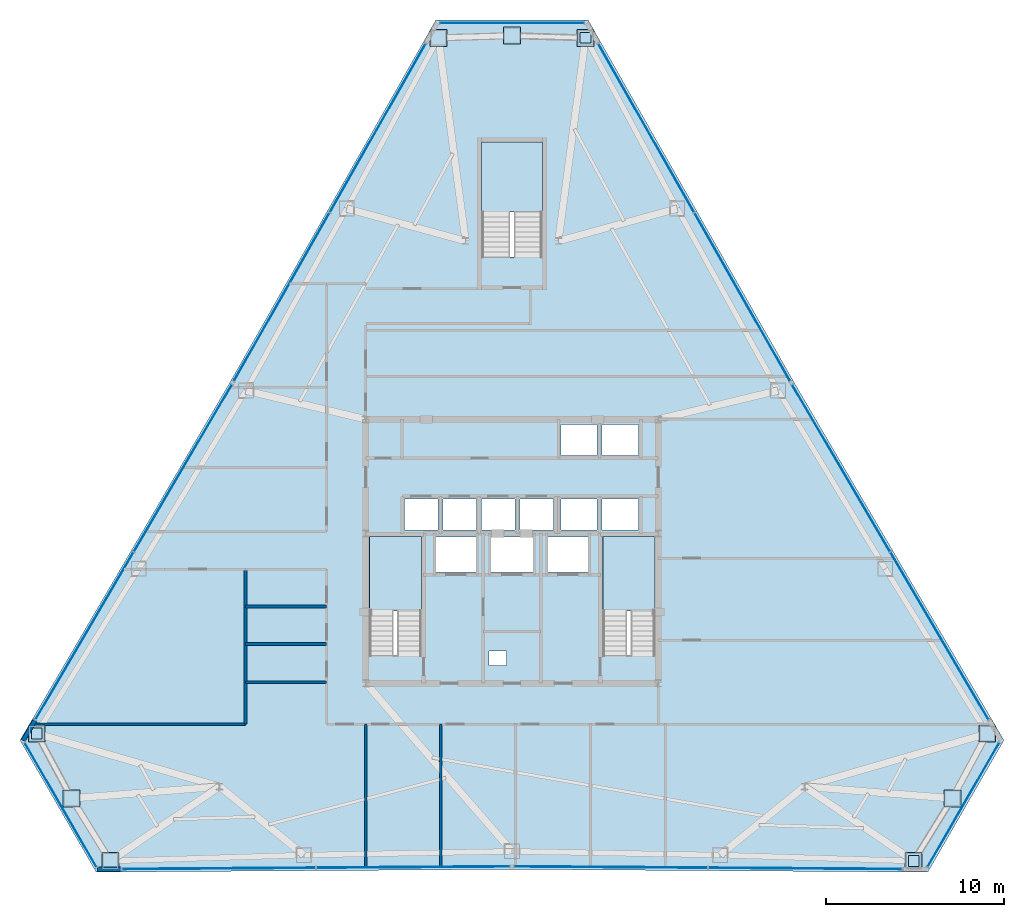
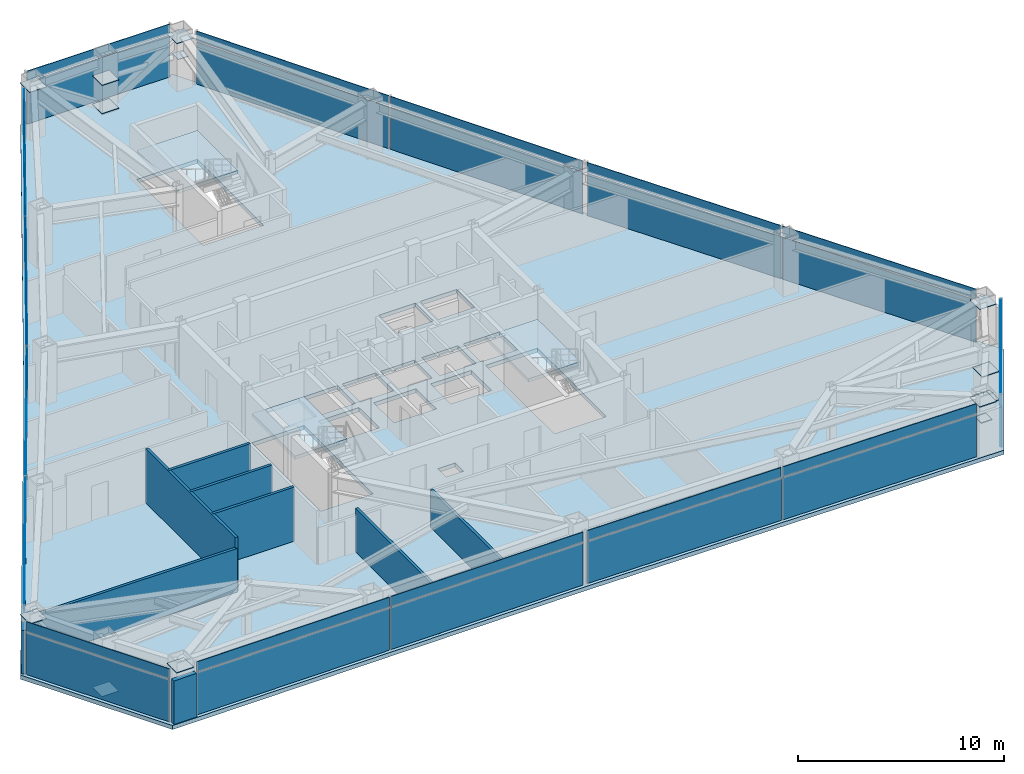
# One storey, part 9 of 13: 45 plates, 9 walls, 4 slabs, 12 elements without a shape of their own.
"""IFC4 building model written with IfcOpenShell, lengths in metres."""

from ifc_helpers import new_model, si_unit, direction, frame, frame_2d, origin, origin_2d, place, context, subcontext, project, spatial, polyline, rectangle, outline, extrude, source, transform, mapped, material, layer, layer_set, type_object, type_shapes, element, aggregate, save


model = new_model("IFC4")

# Units and contexts
model_context = context("Model", 3, precision=1e-05, world=origin(), true_north=direction((0.0, 1.0)))
body_context = subcontext(model_context, "Body", "Model", "MODEL_VIEW")
ifc_project = project(units=[si_unit("LENGTHUNIT", "METRE"), si_unit("AREAUNIT", "SQUARE_METRE"), si_unit("VOLUMEUNIT", "CUBIC_METRE"), si_unit("PLANEANGLEUNIT", "RADIAN"), si_unit("MASSUNIT", "GRAM", prefix="KILO")], contexts=[model_context])

# Site, building, storey
site_placement = place(None, origin())
site = spatial("IfcSite", under=ifc_project, at=site_placement, CompositionType="ELEMENT")
building_placement = place(site_placement, origin())
building = spatial("IfcBuilding", under=site, at=building_placement, Name="Varakhsha Concourse Tower", CompositionType="ELEMENT")
storey_placement = place(building_placement, frame((0.0, 0.0, 136.699951171875)))
storey = spatial("IfcBuildingStorey", under=building, at=storey_placement, Name="L39", CompositionType="ELEMENT", Elevation=136.699951171875)

# Slab
ifc_material_1 = material(Name="Concrete fc 45 MPa", Category="concrete")
ifc_layer_1 = layer(ifc_material_1, 0.239990234375, Name="SL-FLR-240")
ifc_layer_set_1 = layer_set([ifc_layer_1], Name="Concrete fc 45 MPa")
slab_type_1 = type_object("IfcSlabType", Name="SL-FLR-240", PredefinedType="FLOOR", material=ifc_layer_set_1)
slab_1_placement = place(storey_placement, frame((0.0, 0.0, -0.239990234375)))
element("IfcSlab", 1, at=slab_1_placement, inside=storey, type_object=slab_type_1, Name="L39 Composite Structural Slab", PredefinedType="FLOOR", context=body_context, shape_type="SweptSolid", body=[
    extrude(outline(polyline([(44.271484375, 53.6015625), (35.728515625, 53.6015625), (24.2021484375, 33.32080078125), (12.401611328125, 13.198486328125), (16.673095703125, 5.800048828125), (40.0, 5.958251953125), (63.326904296875, 5.800048828125), (67.598388671875, 13.198486328125), (55.7978515625, 33.32080078125), (44.271484375, 53.6015625)]), holes=[polyline([(34.919921875, 17.93994140625), (34.919921875, 24.6298828125), (32.0, 24.6298828125), (32.0, 17.93994140625), (34.919921875, 17.93994140625)]), polyline([(48.02001953125, 17.93994140625), (48.02001953125, 24.6298828125), (45.10009765625, 24.6298828125), (45.10009765625, 17.93994140625), (48.02001953125, 17.93994140625)]), polyline([(41.699951171875, 40.300048828125), (41.699951171875, 46.75), (38.300048828125, 46.75), (38.300048828125, 40.300048828125), (41.699951171875, 40.300048828125)]), polyline([(33.9599609375, 25.0), (35.840087890625, 25.0), (35.840087890625, 26.739990234375), (33.9599609375, 26.739990234375), (33.9599609375, 25.0)]), polyline([(36.1201171875, 25.0), (38.0, 25.0), (38.0, 26.739990234375), (36.1201171875, 26.739990234375), (36.1201171875, 25.0)]), polyline([(38.280029296875, 25.0), (40.159912109375, 25.0), (40.159912109375, 26.739990234375), (38.280029296875, 26.739990234375), (38.280029296875, 25.0)]), polyline([(40.43994140625, 25.0), (42.320068359375, 25.0), (42.320068359375, 26.739990234375), (40.43994140625, 26.739990234375), (40.43994140625, 25.0)]), polyline([(42.739990234375, 29.159912109375), (44.780029296875, 29.159912109375), (44.780029296875, 30.89990234375), (42.739990234375, 30.89990234375), (42.739990234375, 29.159912109375)]), polyline([(45.06005859375, 29.159912109375), (47.10009765625, 29.159912109375), (47.10009765625, 30.89990234375), (45.06005859375, 30.89990234375), (45.06005859375, 29.159912109375)]), polyline([(42.739990234375, 25.0), (44.780029296875, 25.0), (44.780029296875, 26.739990234375), (42.739990234375, 26.739990234375), (42.739990234375, 25.0)]), polyline([(45.06005859375, 25.0), (47.10009765625, 25.0), (47.10009765625, 26.739990234375), (45.06005859375, 26.739990234375), (45.06005859375, 25.0)]), polyline([(35.7099609375, 22.639892578125), (37.989990234375, 22.639892578125), (37.989990234375, 24.60009765625), (35.7099609375, 24.60009765625), (35.7099609375, 22.639892578125)]), polyline([(42.010009765625, 22.639892578125), (44.2900390625, 22.639892578125), (44.2900390625, 24.60009765625), (42.010009765625, 24.60009765625), (42.010009765625, 22.639892578125)]), polyline([(38.81005859375, 22.639892578125), (41.18994140625, 22.639892578125), (41.18994140625, 24.60009765625), (38.81005859375, 24.60009765625), (38.81005859375, 22.639892578125)]), polyline([(38.719970703125, 17.39990234375), (39.679931640625, 17.39990234375), (39.679931640625, 18.199951171875), (38.719970703125, 18.199951171875), (38.719970703125, 17.39990234375)])]), origin(), (0.0, 0.0, 1.0), 0.239990234375),
])

# Stair, slab
stair_type_1 = type_object("IfcStairType", Name="ST-DOGLEG-1360", PredefinedType="HALF_TURN_STAIR", material=ifc_material_1)
stair_1_placement = place(storey_placement, origin())
stair_1 = element("IfcStair", 2, at=stair_1_placement, inside=storey, type_object=stair_type_1, Name="L39 Protected Exit Stair ST1", PredefinedType="HALF_TURN_STAIR")
ifc_layer_2 = layer(ifc_material_1, 0.199951171875, Name="SL-LAND-200")
ifc_layer_set_2 = layer_set([ifc_layer_2], Name="Concrete fc 45 MPa")
slab_type_2 = type_object("IfcSlabType", Name="SL-LAND-200", PredefinedType="LANDING", material=ifc_layer_set_2)
slab_2_placement = place(storey_placement, frame((0.0, 0.0, 1.525146484375)))
slab_2 = element("IfcSlab", 3, at=slab_2_placement, type_object=slab_type_2, Name="ST1 landing 1", PredefinedType="LANDING", context=body_context, shape_type="SweptSolid", body=[
    extrude(outline(polyline([(34.919921875, 20.4599609375), (34.919921875, 24.6298828125), (32.0, 24.6298828125), (32.0, 20.4599609375), (34.919921875, 20.4599609375)])), origin(), (0.0, 0.0, 1.0), 0.199951171875),
])
aggregate(stair_1, [slab_2])

stair_2_placement = place(storey_placement, origin())
stair_2 = element("IfcStair", 4, at=stair_2_placement, inside=storey, type_object=stair_type_1, Name="L39 Protected Exit Stair ST2", PredefinedType="HALF_TURN_STAIR")
slab_3_placement = place(storey_placement, frame((0.0, 0.0, 1.525146484375)))
slab_3 = element("IfcSlab", 5, at=slab_3_placement, type_object=slab_type_2, Name="ST2 landing 1", PredefinedType="LANDING", context=body_context, shape_type="SweptSolid", body=[
    extrude(outline(polyline([(48.02001953125, 20.4599609375), (48.02001953125, 24.6298828125), (45.10009765625, 24.6298828125), (45.10009765625, 20.4599609375), (48.02001953125, 20.4599609375)])), origin(), (0.0, 0.0, 1.0), 0.199951171875),
])
aggregate(stair_2, [slab_3])

stair_type_2 = type_object("IfcStairType", Name="ST-DOGLEG-1600", PredefinedType="HALF_TURN_STAIR", material=ifc_material_1)
stair_3_placement = place(storey_placement, origin())
stair_3 = element("IfcStair", 6, at=stair_3_placement, inside=storey, type_object=stair_type_2, Name="L39 Protected Exit Stair ST5", PredefinedType="HALF_TURN_STAIR")
slab_4_placement = place(storey_placement, frame((0.0, 0.0, 1.525146484375)))
slab_4 = element("IfcSlab", 7, at=slab_4_placement, type_object=slab_type_2, Name="ST5 landing 1", PredefinedType="LANDING", context=body_context, shape_type="SweptSolid", body=[
    extrude(outline(polyline([(41.699951171875, 42.820068359375), (41.699951171875, 46.75), (38.300048828125, 46.75), (38.300048828125, 42.820068359375), (41.699951171875, 42.820068359375)])), origin(), (0.0, 0.0, 1.0), 0.199951171875),
])
aggregate(stair_3, [slab_4])

# Plates
ifc_material_2 = material(Name="Structural Steel ASTM A572 Grade 50", Category="steel")
ifc_layer_3 = layer(ifc_material_2, 0.030029296875, Name="PL-ENDCAP-950")
ifc_layer_set_3 = layer_set([ifc_layer_3], Name="Structural Steel ASTM A572 Grade 50")
plate_type_1 = type_object("IfcPlateType", Name="PL-ENDCAP-950", PredefinedType="USERDEFINED", material=ifc_layer_set_3)
shared_shape_1 = source(origin(), body_context, "Body", "SweptSolid", [
    extrude(rectangle(XDim=0.949951171875, YDim=0.949951171875, at=origin_2d()), origin(), (0.0, 0.0, 1.0), 0.030029296875),
])
type_shapes(plate_type_1, [shared_shape_1])
for number, where, z_axis, x_axis, name in (
    (8, (40.0, 52.7216796875, 0.10498046875), (0.0, 0.0, 1.0), (1.0, 0.0, 0.0), "Hollow Section End Cap GP-NODE-L39-0373"),
    (9, (44.1259765625, 52.60009765625, 2.89501953125), (0.0, 0.0, 1.0), (1.0, 0.0, 0.0), "Hollow Section End Cap GP-NODE-L39-0374"),
    (10, (35.8740234375, 52.60009765625, 2.89501953125), (0.0, 0.0, 1.0), (1.0, 0.0, 0.0), "Hollow Section End Cap GP-NODE-L39-0375"),
    (11, (15.299560546875, 9.939208984375, 0.10498046875), (0.0, 0.0, 1.0), (1.0, 0.0, 0.0), "Hollow Section End Cap GP-NODE-L39-0376"),
    (12, (13.341796875, 13.572998046875, 2.89501953125), (0.0, 0.0, 1.0), (1.0, 0.0, 0.0), "Hollow Section End Cap GP-NODE-L39-0377"),
    (13, (17.4677734375, 6.4267578125, 2.89501953125), (0.0, 0.0, 1.0), (1.0, 0.0, 0.0), "Hollow Section End Cap GP-NODE-L39-0378"),
    (14, (64.700439453125, 9.939208984375, 0.10498046875), (0.0, 0.0, 1.0), (1.0, 0.0, 0.0), "Hollow Section End Cap GP-NODE-L39-0379"),
    (15, (62.5322265625, 6.4267578125, 2.89501953125), (0.0, 0.0, 1.0), (1.0, 0.0, 0.0), "Hollow Section End Cap GP-NODE-L39-0380"),
    (16, (66.658203125, 13.572998046875, 2.89501953125), (0.0, 0.0, 1.0), (1.0, 0.0, 0.0), "Hollow Section End Cap GP-NODE-L39-0381"),
    (17, (40.0, 52.7216796875, 1.78515625), (0.0, 0.0, 1.0), (1.0, 0.0, 0.0), "Hollow Section End Cap GP-NODE-L39-0382"),
    (18, (15.299560546875, 9.939208984375, 1.78515625), (0.0, 0.0, 1.0), (1.0, 0.0, 0.0), "Hollow Section End Cap GP-NODE-L39-0383"),
    (19, (64.700439453125, 9.939208984375, 1.78515625), (0.0, 0.0, 1.0), (1.0, 0.0, 0.0), "Hollow Section End Cap GP-NODE-L39-0384"),
):
    element("IfcPlate", number, at=place(storey_placement, frame(where, z_axis=z_axis, x_axis=x_axis)), inside=storey, type_object=plate_type_1, Name=name, ObjectType="END PLATE", PredefinedType="USERDEFINED", context=body_context, shape_type="MappedRepresentation", body=[
        mapped(shared_shape_1, transform((0.0, 0.0, 0.0), scale=1.0)),
    ])
ifc_layer_4 = layer(ifc_material_2, 0.030029296875, Name="PL-BASE-600")
ifc_layer_set_4 = layer_set([ifc_layer_4], Name="Structural Steel ASTM A572 Grade 50")
plate_type_2 = type_object("IfcPlateType", Name="PL-BASE-600", PredefinedType="SHEET", material=ifc_layer_set_4)
shared_shape_2 = source(origin(), body_context, "Body", "SweptSolid", [
    extrude(rectangle(XDim=0.60009765625, YDim=0.60009765625, at=origin_2d()), origin(), (0.0, 0.0, 1.0), 0.030029296875),
])
type_shapes(plate_type_2, [shared_shape_2])
for number, where, z_axis, x_axis, name in (
    (20, (44.1259765625, 52.60009765625, 1.78515625), (0.0, 0.0, 1.0), (1.0, 0.0, 0.0), "Hollow Section End Cap BP-WTIE-L39-1"),
    (21, (13.341796875, 13.572998046875, 1.78515625), (0.0, 0.0, 1.0), (1.0, 0.0, 0.0), "Hollow Section End Cap BP-WTIE-L39-2"),
    (22, (62.5322265625, 6.4267578125, 1.78515625), (0.0, 0.0, 1.0), (1.0, 0.0, 0.0), "Hollow Section End Cap BP-WTIE-L39-3"),
):
    element("IfcPlate", number, at=place(storey_placement, frame(where, z_axis=z_axis, x_axis=x_axis)), inside=storey, type_object=plate_type_2, Name=name, PredefinedType="SHEET", context=body_context, shape_type="MappedRepresentation", body=[
        mapped(shared_shape_2, transform((0.0, 0.0, 0.0), scale=1.0)),
    ])

# Curtain wall, plates
ifc_material_3 = material(Name="Anodised Bronze Architectural Aluminium AA 6063-T6", Category="aluminium")
ifc_layer_5 = layer(ifc_material_3, 0.2099609375, Name="CW-SYS-04")
ifc_layer_set_5 = layer_set([ifc_layer_5], Name="Anodised Bronze Architectural Aluminium AA 6063-T6")
curtain_wall_type = type_object("IfcCurtainWallType", Name="CW-SYS-04", PredefinedType="NOTDEFINED", material=ifc_layer_set_5)
curtain_wall_1_placement = place(storey_placement, origin())
curtain_wall_1 = element("IfcCurtainWall", 23, at=curtain_wall_1_placement, inside=storey, type_object=curtain_wall_type, Name="L39 Crystal Curtain Wall F2", PredefinedType="NOTDEFINED")
ifc_material_4 = material(Name="Low-E Triple Insulating Glass IGU 44 mm", Category="glass")
ifc_layer_6 = layer(ifc_material_4, 0.0439453125, Name="CWP-IGU-44")
ifc_layer_set_6 = layer_set([ifc_layer_6], Name="Low-E Triple Insulating Glass IGU 44 mm")
plate_type_3 = type_object("IfcPlateType", Name="CWP-IGU-44", PredefinedType="CURTAIN_PANEL", material=ifc_layer_set_6)
shared_shape_3 = source(origin(), body_context, "Body", "SweptSolid", [
    extrude(rectangle(XDim=10.834716796875, YDim=0.0439453125, at=origin_2d()), origin(), (0.0, 0.0, 1.0), 2.490966796875),
])
type_shapes(plate_type_3, [shared_shape_3])
plate_1_placement = place(storey_placement, frame((27.0771484375, 38.0556640625, 0.03466796875), z_axis=(0.0, 0.0, 1.0), x_axis=(0.494114858069, 0.8693966339, 0.0)))
plate_1 = element("IfcPlate", 24, at=plate_1_placement, type_object=plate_type_3, Name="CW-L39-F2 Panel 00-00", PredefinedType="CURTAIN_PANEL", context=body_context, shape_type="MappedRepresentation", body=[
    mapped(shared_shape_3, transform((0.0, 0.0, 0.0), scale=1.0)),
])
plate_2_placement = place(storey_placement, frame((32.4697265625, 47.5439453125, 0.03466796875), z_axis=(0.0, 0.0, 1.0), x_axis=(0.494114858069, 0.8693966339, 0.0)))
plate_2 = element("IfcPlate", 25, at=plate_2_placement, type_object=plate_type_3, Name="CW-L39-F2 Panel 01-00", PredefinedType="CURTAIN_PANEL", context=body_context, shape_type="MappedRepresentation", body=[
    mapped(shared_shape_3, transform((0.0, 0.0, 0.0), scale=1.0)),
])

curtain_wall_2_placement = place(storey_placement, origin())
curtain_wall_2 = element("IfcCurtainWall", 26, at=curtain_wall_2_placement, inside=storey, type_object=curtain_wall_type, Name="L39 Crystal Curtain Wall F3", PredefinedType="NOTDEFINED")
plate_3_placement = place(storey_placement, frame((16.018310546875, 19.049560546875, 0.03466796875), z_axis=(0.0, 0.0, 1.0), x_axis=(0.505862141887, 0.862614336424, 0.0)))
plate_3 = element("IfcPlate", 27, at=plate_3_placement, type_object=plate_type_3, Name="CW-L39-F3 Panel 00-00", PredefinedType="CURTAIN_PANEL", context=body_context, shape_type="MappedRepresentation", body=[
    mapped(shared_shape_3, transform((0.0, 0.0, 0.0), scale=1.0)),
])
plate_4_placement = place(storey_placement, frame((21.539306640625, 28.4638671875, 0.03466796875), z_axis=(0.0, 0.0, 1.0), x_axis=(0.505862141887, 0.862614336424, 0.0)))
plate_4 = element("IfcPlate", 28, at=plate_4_placement, type_object=plate_type_3, Name="CW-L39-F3 Panel 01-00", PredefinedType="CURTAIN_PANEL", context=body_context, shape_type="MappedRepresentation", body=[
    mapped(shared_shape_3, transform((0.0, 0.0, 0.0), scale=1.0)),
])

curtain_wall_3_placement = place(storey_placement, origin())
curtain_wall_3 = element("IfcCurtainWall", 29, at=curtain_wall_3_placement, inside=storey, type_object=curtain_wall_type, Name="L39 Crystal Curtain Wall F5", PredefinedType="NOTDEFINED")
plate_5_placement = place(storey_placement, frame((34.462158203125, 6.080810546875, 0.03466796875), z_axis=(0.0, 0.0, 1.0), x_axis=(-0.999976976275, -0.006785788053, 0.0)))
plate_5 = element("IfcPlate", 30, at=plate_5_placement, type_object=plate_type_3, Name="CW-L39-F5 Panel 00-00", PredefinedType="CURTAIN_PANEL", context=body_context, shape_type="MappedRepresentation", body=[
    mapped(shared_shape_3, transform((0.0, 0.0, 0.0), scale=1.0)),
])
plate_6_placement = place(storey_placement, frame((23.548828125, 6.006591796875, 0.03466796875), z_axis=(0.0, 0.0, 1.0), x_axis=(-0.999976976275, -0.006785788053, 0.0)))
plate_6 = element("IfcPlate", 31, at=plate_6_placement, type_object=plate_type_3, Name="CW-L39-F5 Panel 01-00", PredefinedType="CURTAIN_PANEL", context=body_context, shape_type="MappedRepresentation", body=[
    mapped(shared_shape_3, transform((0.0, 0.0, 0.0), scale=1.0)),
])

curtain_wall_4_placement = place(storey_placement, origin())
curtain_wall_4 = element("IfcCurtainWall", 32, at=curtain_wall_4_placement, inside=storey, type_object=curtain_wall_type, Name="L39 Crystal Curtain Wall F6", PredefinedType="NOTDEFINED")
plate_7_placement = place(storey_placement, frame((56.451171875, 6.006591796875, 0.03466796875), z_axis=(0.0, 0.0, 1.0), x_axis=(-0.999976976275, 0.006785788053, 0.0)))
plate_7 = element("IfcPlate", 33, at=plate_7_placement, type_object=plate_type_3, Name="CW-L39-F6 Panel 00-00", PredefinedType="CURTAIN_PANEL", context=body_context, shape_type="MappedRepresentation", body=[
    mapped(shared_shape_3, transform((0.0, 0.0, 0.0), scale=1.0)),
])
plate_8_placement = place(storey_placement, frame((45.537841796875, 6.080810546875, 0.03466796875), z_axis=(0.0, 0.0, 1.0), x_axis=(-0.999976976275, 0.006785788053, 0.0)))
plate_8 = element("IfcPlate", 34, at=plate_8_placement, type_object=plate_type_3, Name="CW-L39-F6 Panel 01-00", PredefinedType="CURTAIN_PANEL", context=body_context, shape_type="MappedRepresentation", body=[
    mapped(shared_shape_3, transform((0.0, 0.0, 0.0), scale=1.0)),
])

curtain_wall_5_placement = place(storey_placement, origin())
curtain_wall_5 = element("IfcCurtainWall", 35, at=curtain_wall_5_placement, inside=storey, type_object=curtain_wall_type, Name="L39 Crystal Curtain Wall F8", PredefinedType="NOTDEFINED")
plate_9_placement = place(storey_placement, frame((58.460693359375, 28.4638671875, 0.03466796875), z_axis=(0.0, 0.0, 1.0), x_axis=(0.505862141887, -0.862614336424, 0.0)))
plate_9 = element("IfcPlate", 36, at=plate_9_placement, type_object=plate_type_3, Name="CW-L39-F8 Panel 00-00", PredefinedType="CURTAIN_PANEL", context=body_context, shape_type="MappedRepresentation", body=[
    mapped(shared_shape_3, transform((0.0, 0.0, 0.0), scale=1.0)),
])
plate_10_placement = place(storey_placement, frame((63.981689453125, 19.049560546875, 0.03466796875), z_axis=(0.0, 0.0, 1.0), x_axis=(0.505862141887, -0.862614336424, 0.0)))
plate_10 = element("IfcPlate", 37, at=plate_10_placement, type_object=plate_type_3, Name="CW-L39-F8 Panel 01-00", PredefinedType="CURTAIN_PANEL", context=body_context, shape_type="MappedRepresentation", body=[
    mapped(shared_shape_3, transform((0.0, 0.0, 0.0), scale=1.0)),
])

curtain_wall_6_placement = place(storey_placement, origin())
curtain_wall_6 = element("IfcCurtainWall", 38, at=curtain_wall_6_placement, inside=storey, type_object=curtain_wall_type, Name="L39 Crystal Curtain Wall F9", PredefinedType="NOTDEFINED")
plate_11_placement = place(storey_placement, frame((47.5302734375, 47.543701171875, 0.03466796875), z_axis=(0.0, 0.0, 1.0), x_axis=(0.494114858069, -0.8693966339, 0.0)))
plate_11 = element("IfcPlate", 39, at=plate_11_placement, type_object=plate_type_3, Name="CW-L39-F9 Panel 00-00", PredefinedType="CURTAIN_PANEL", context=body_context, shape_type="MappedRepresentation", body=[
    mapped(shared_shape_3, transform((0.0, 0.0, 0.0), scale=1.0)),
])
plate_12_placement = place(storey_placement, frame((52.9228515625, 38.055419921875, 0.03466796875), z_axis=(0.0, 0.0, 1.0), x_axis=(0.494114858069, -0.8693966339, 0.0)))
plate_12 = element("IfcPlate", 40, at=plate_12_placement, type_object=plate_type_3, Name="CW-L39-F9 Panel 01-00", PredefinedType="CURTAIN_PANEL", context=body_context, shape_type="MappedRepresentation", body=[
    mapped(shared_shape_3, transform((0.0, 0.0, 0.0), scale=1.0)),
])

# Plate
ifc_material_5 = material(Name="Glazed Turquoise-Bronze Ceramic Spandrel Panel 38 mm", Category="ceramic")
ifc_layer_7 = layer(ifc_material_5, 0.0380859375, Name="CWP-SPN-38")
ifc_layer_set_7 = layer_set([ifc_layer_7], Name="Glazed Turquoise-Bronze Ceramic Spandrel Panel 38 mm")
plate_type_4 = type_object("IfcPlateType", Name="CWP-SPN-38", PredefinedType="USERDEFINED", material=ifc_layer_set_7)
shared_shape_4 = source(origin(), body_context, "Body", "SweptSolid", [
    extrude(rectangle(XDim=10.834716796875, YDim=0.0380859375, at=origin_2d()), origin(), (0.0, 0.0, 1.0), 0.5810546875),
])
plate_13_placement = place(storey_placement, frame((27.0771484375, 38.0556640625, 2.594482421875), z_axis=(0.0, 0.0, 1.0), x_axis=(0.494114858069, 0.8693966339, 0.0)))
plate_13 = element("IfcPlate", 41, at=plate_13_placement, type_object=plate_type_4, Name="CW-L39-F2 Panel 00-01", ObjectType="SPANDREL", PredefinedType="USERDEFINED", context=body_context, shape_type="MappedRepresentation", body=[
    mapped(shared_shape_4, transform((0.0, 0.0, 0.0), scale=1.0)),
])

plate_14_placement = place(storey_placement, frame((32.4697265625, 47.5439453125, 2.594482421875), z_axis=(0.0, 0.0, 1.0), x_axis=(0.494114858069, 0.8693966339, 0.0)))
plate_14 = element("IfcPlate", 42, at=plate_14_placement, type_object=plate_type_4, Name="CW-L39-F2 Panel 01-01", ObjectType="SPANDREL", PredefinedType="USERDEFINED", context=body_context, shape_type="MappedRepresentation", body=[
    mapped(shared_shape_4, transform((0.0, 0.0, 0.0), scale=1.0)),
])

aggregate(curtain_wall_1, [plate_1, plate_13, plate_2, plate_14])

plate_15_placement = place(storey_placement, frame((16.018310546875, 19.049560546875, 2.594482421875), z_axis=(0.0, 0.0, 1.0), x_axis=(0.505862141887, 0.862614336424, 0.0)))
plate_15 = element("IfcPlate", 43, at=plate_15_placement, type_object=plate_type_4, Name="CW-L39-F3 Panel 00-01", ObjectType="SPANDREL", PredefinedType="USERDEFINED", context=body_context, shape_type="MappedRepresentation", body=[
    mapped(shared_shape_4, transform((0.0, 0.0, 0.0), scale=1.0)),
])

plate_16_placement = place(storey_placement, frame((21.539306640625, 28.4638671875, 2.594482421875), z_axis=(0.0, 0.0, 1.0), x_axis=(0.505862141887, 0.862614336424, 0.0)))
plate_16 = element("IfcPlate", 44, at=plate_16_placement, type_object=plate_type_4, Name="CW-L39-F3 Panel 01-01", ObjectType="SPANDREL", PredefinedType="USERDEFINED", context=body_context, shape_type="MappedRepresentation", body=[
    mapped(shared_shape_4, transform((0.0, 0.0, 0.0), scale=1.0)),
])

aggregate(curtain_wall_2, [plate_3, plate_15, plate_4, plate_16])

plate_17_placement = place(storey_placement, frame((34.462158203125, 6.080810546875, 2.594482421875), z_axis=(0.0, 0.0, 1.0), x_axis=(-0.999976976275, -0.006785788053, 0.0)))
plate_17 = element("IfcPlate", 45, at=plate_17_placement, type_object=plate_type_4, Name="CW-L39-F5 Panel 00-01", ObjectType="SPANDREL", PredefinedType="USERDEFINED", context=body_context, shape_type="MappedRepresentation", body=[
    mapped(shared_shape_4, transform((0.0, 0.0, 0.0), scale=1.0)),
])

plate_18_placement = place(storey_placement, frame((23.548828125, 6.006591796875, 2.594482421875), z_axis=(0.0, 0.0, 1.0), x_axis=(-0.999976976275, -0.006785788053, 0.0)))
plate_18 = element("IfcPlate", 46, at=plate_18_placement, type_object=plate_type_4, Name="CW-L39-F5 Panel 01-01", ObjectType="SPANDREL", PredefinedType="USERDEFINED", context=body_context, shape_type="MappedRepresentation", body=[
    mapped(shared_shape_4, transform((0.0, 0.0, 0.0), scale=1.0)),
])

aggregate(curtain_wall_3, [plate_5, plate_17, plate_6, plate_18])

plate_19_placement = place(storey_placement, frame((56.451171875, 6.006591796875, 2.594482421875), z_axis=(0.0, 0.0, 1.0), x_axis=(-0.999976976275, 0.006785788053, 0.0)))
plate_19 = element("IfcPlate", 47, at=plate_19_placement, type_object=plate_type_4, Name="CW-L39-F6 Panel 00-01", ObjectType="SPANDREL", PredefinedType="USERDEFINED", context=body_context, shape_type="MappedRepresentation", body=[
    mapped(shared_shape_4, transform((0.0, 0.0, 0.0), scale=1.0)),
])

plate_20_placement = place(storey_placement, frame((45.537841796875, 6.080810546875, 2.594482421875), z_axis=(0.0, 0.0, 1.0), x_axis=(-0.999976976275, 0.006785788053, 0.0)))
plate_20 = element("IfcPlate", 48, at=plate_20_placement, type_object=plate_type_4, Name="CW-L39-F6 Panel 01-01", ObjectType="SPANDREL", PredefinedType="USERDEFINED", context=body_context, shape_type="MappedRepresentation", body=[
    mapped(shared_shape_4, transform((0.0, 0.0, 0.0), scale=1.0)),
])

aggregate(curtain_wall_4, [plate_7, plate_19, plate_8, plate_20])

plate_21_placement = place(storey_placement, frame((58.460693359375, 28.4638671875, 2.594482421875), z_axis=(0.0, 0.0, 1.0), x_axis=(0.505862141887, -0.862614336424, 0.0)))
plate_21 = element("IfcPlate", 49, at=plate_21_placement, type_object=plate_type_4, Name="CW-L39-F8 Panel 00-01", ObjectType="SPANDREL", PredefinedType="USERDEFINED", context=body_context, shape_type="MappedRepresentation", body=[
    mapped(shared_shape_4, transform((0.0, 0.0, 0.0), scale=1.0)),
])

plate_22_placement = place(storey_placement, frame((63.981689453125, 19.049560546875, 2.594482421875), z_axis=(0.0, 0.0, 1.0), x_axis=(0.505862141887, -0.862614336424, 0.0)))
plate_22 = element("IfcPlate", 50, at=plate_22_placement, type_object=plate_type_4, Name="CW-L39-F8 Panel 01-01", ObjectType="SPANDREL", PredefinedType="USERDEFINED", context=body_context, shape_type="MappedRepresentation", body=[
    mapped(shared_shape_4, transform((0.0, 0.0, 0.0), scale=1.0)),
])

aggregate(curtain_wall_5, [plate_9, plate_21, plate_10, plate_22])

plate_23_placement = place(storey_placement, frame((47.5302734375, 47.543701171875, 2.594482421875), z_axis=(0.0, 0.0, 1.0), x_axis=(0.494114858069, -0.8693966339, 0.0)))
plate_23 = element("IfcPlate", 51, at=plate_23_placement, type_object=plate_type_4, Name="CW-L39-F9 Panel 00-01", ObjectType="SPANDREL", PredefinedType="USERDEFINED", context=body_context, shape_type="MappedRepresentation", body=[
    mapped(shared_shape_4, transform((0.0, 0.0, 0.0), scale=1.0)),
])

plate_24_placement = place(storey_placement, frame((52.9228515625, 38.055419921875, 2.594482421875), z_axis=(0.0, 0.0, 1.0), x_axis=(0.494114858069, -0.8693966339, 0.0)))
plate_24 = element("IfcPlate", 52, at=plate_24_placement, type_object=plate_type_4, Name="CW-L39-F9 Panel 01-01", ObjectType="SPANDREL", PredefinedType="USERDEFINED", context=body_context, shape_type="MappedRepresentation", body=[
    mapped(shared_shape_4, transform((0.0, 0.0, 0.0), scale=1.0)),
])

aggregate(curtain_wall_6, [plate_11, plate_23, plate_12, plate_24])

# Curtain wall, plate
curtain_wall_7_placement = place(storey_placement, origin())
curtain_wall_7 = element("IfcCurtainWall", 53, at=curtain_wall_7_placement, inside=storey, type_object=curtain_wall_type, Name="L39 Chamfer Curtain Wall F1", PredefinedType="NOTDEFINED")
ifc_material_6 = material(Name="Insulated Anodised Bronze Aluminium Spandrel 36 mm", Category="aluminium")
ifc_layer_8 = layer(ifc_material_6, 0.035888671875, Name="CWP-SPN-36")
ifc_layer_set_8 = layer_set([ifc_layer_8], Name="Insulated Anodised Bronze Aluminium Spandrel 36 mm")
plate_type_5 = type_object("IfcPlateType", Name="CWP-SPN-36", PredefinedType="USERDEFINED", material=ifc_layer_set_8)
shared_shape_5 = source(origin(), body_context, "Body", "SweptSolid", [
    extrude(rectangle(XDim=8.02392578125, YDim=0.035888671875, at=origin_2d()), origin(), (0.0, 0.0, 1.0), 2.490966796875),
])
type_shapes(plate_type_5, [shared_shape_5])
plate_25_placement = place(storey_placement, frame((40.0, 53.441650390625, 0.03466796875), z_axis=(0.0, 0.0, 1.0), x_axis=(1.0, 0.0, 0.0)))
plate_25 = element("IfcPlate", 54, at=plate_25_placement, type_object=plate_type_5, Name="CW-L39-F1 Panel 00-00", ObjectType="SPANDREL", PredefinedType="USERDEFINED", context=body_context, shape_type="MappedRepresentation", body=[
    mapped(shared_shape_5, transform((0.0, 0.0, 0.0), scale=1.0)),
])

curtain_wall_8_placement = place(storey_placement, origin())
curtain_wall_8 = element("IfcCurtainWall", 55, at=curtain_wall_8_placement, inside=storey, type_object=curtain_wall_type, Name="L39 Chamfer Curtain Wall F4", PredefinedType="NOTDEFINED")
plate_26_placement = place(storey_placement, frame((14.676025390625, 9.5791015625, 0.03466796875), z_axis=(0.0, 0.0, 1.0), x_axis=(-0.5, 0.866025403784, 0.0)))
plate_26 = element("IfcPlate", 56, at=plate_26_placement, type_object=plate_type_5, Name="CW-L39-F4 Panel 00-00", ObjectType="SPANDREL", PredefinedType="USERDEFINED", context=body_context, shape_type="MappedRepresentation", body=[
    mapped(shared_shape_5, transform((0.0, 0.0, 0.0), scale=1.0)),
])

curtain_wall_9_placement = place(storey_placement, origin())
curtain_wall_9 = element("IfcCurtainWall", 57, at=curtain_wall_9_placement, inside=storey, type_object=curtain_wall_type, Name="L39 Chamfer Curtain Wall F7", PredefinedType="NOTDEFINED")
plate_27_placement = place(storey_placement, frame((65.323974609375, 9.5791015625, 0.03466796875), z_axis=(0.0, 0.0, 1.0), x_axis=(-0.5, -0.866025403784, 0.0)))
plate_27 = element("IfcPlate", 58, at=plate_27_placement, type_object=plate_type_5, Name="CW-L39-F7 Panel 00-00", ObjectType="SPANDREL", PredefinedType="USERDEFINED", context=body_context, shape_type="MappedRepresentation", body=[
    mapped(shared_shape_5, transform((0.0, 0.0, 0.0), scale=1.0)),
])

# Plate
shared_shape_6 = source(origin(), body_context, "Body", "SweptSolid", [
    extrude(rectangle(XDim=8.02392578125, YDim=0.0380859375, at=origin_2d()), origin(), (0.0, 0.0, 1.0), 0.5810546875),
])
type_shapes(plate_type_4, [shared_shape_4, shared_shape_6])
plate_28_placement = place(storey_placement, frame((40.0, 53.441650390625, 2.594482421875), z_axis=(0.0, 0.0, 1.0), x_axis=(1.0, 0.0, 0.0)))
plate_28 = element("IfcPlate", 59, at=plate_28_placement, type_object=plate_type_4, Name="CW-L39-F1 Panel 00-01", ObjectType="SPANDREL", PredefinedType="USERDEFINED", context=body_context, shape_type="MappedRepresentation", body=[
    mapped(shared_shape_6, transform((0.0, 0.0, 0.0), scale=1.0)),
])

aggregate(curtain_wall_7, [plate_25, plate_28])

plate_29_placement = place(storey_placement, frame((14.676025390625, 9.5791015625, 2.594482421875), z_axis=(0.0, 0.0, 1.0), x_axis=(-0.5, 0.866025403784, 0.0)))
plate_29 = element("IfcPlate", 60, at=plate_29_placement, type_object=plate_type_4, Name="CW-L39-F4 Panel 00-01", ObjectType="SPANDREL", PredefinedType="USERDEFINED", context=body_context, shape_type="MappedRepresentation", body=[
    mapped(shared_shape_6, transform((0.0, 0.0, 0.0), scale=1.0)),
])

aggregate(curtain_wall_8, [plate_26, plate_29])

plate_30_placement = place(storey_placement, frame((65.323974609375, 9.5791015625, 2.594482421875), z_axis=(0.0, 0.0, 1.0), x_axis=(-0.5, -0.866025403784, 0.0)))
plate_30 = element("IfcPlate", 61, at=plate_30_placement, type_object=plate_type_4, Name="CW-L39-F7 Panel 00-01", ObjectType="SPANDREL", PredefinedType="USERDEFINED", context=body_context, shape_type="MappedRepresentation", body=[
    mapped(shared_shape_6, transform((0.0, 0.0, 0.0), scale=1.0)),
])

aggregate(curtain_wall_9, [plate_27, plate_30])

# Walls
ifc_layer_9 = layer(ifc_material_1, 0.239990234375, Name="WL-EXT-CRN-240")
ifc_layer_set_9 = layer_set([ifc_layer_9], Name="Concrete fc 45 MPa")
wall_type_1 = type_object("IfcWallType", Name="WL-EXT-CRN-240", PredefinedType="SHEAR", material=ifc_layer_set_9)
for number, where, z_axis, x_axis, name in (
    (62, (13.239013671875, 14.31005859375, 0.0), (0.0, 0.0, 1.0), (-0.50575330013, -0.86267815517, 0.0), "L39 Wind-Corner Shoulder Wall F3"),
    (63, (16.757080078125, 5.960693359375, 0.0), (0.0, 0.0, 1.0), (0.999978318694, 0.006584993632, 0.0), "L39 Wind-Corner Shoulder Wall F5"),
):
    element("IfcWall", number, at=place(storey_placement, frame(where, z_axis=z_axis, x_axis=x_axis)), inside=storey, type_object=wall_type_1, Name=name, PredefinedType="SHEAR", context=body_context, shape_type="SweptSolid", body=[
        extrude(rectangle(XDim=1.297607421875, YDim=0.239990234375, at=frame_2d((0.64892578125, 0.0))), origin(), (0.0, 0.0, 1.0), 2.5830078125),
    ])
ifc_material_7 = material(Name="Fire-Rated Type X Gypsum Partition Assembly", Category="gypsum")
ifc_layer_10 = layer(ifc_material_7, 0.14990234375, Name="WL-PART-150")
ifc_layer_set_10 = layer_set([ifc_layer_10], Name="Fire-Rated Type X Gypsum Partition Assembly")
wall_type_2 = type_object("IfcWallType", Name="WL-PART-150", PredefinedType="PARTITIONING", material=ifc_layer_set_10)
wall_1_placement = place(storey_placement, frame((25.050048828125, 14.10009765625, 0.0), z_axis=(0.0, 0.0, 1.0), x_axis=(0.0, 1.0, 0.0)))
element("IfcWall", 64, at=wall_1_placement, inside=storey, type_object=wall_type_2, Name="L39 Wall C2WC-W-L39", PredefinedType="PARTITIONING", context=body_context, shape_type="SweptSolid", body=[
    extrude(rectangle(XDim=8.699951171875, YDim=0.14990234375, at=frame_2d((4.35009765625, 0.0))), origin(), (0.0, 0.0, 1.0), 3.2099609375),
])
for number, where, z_axis, x_axis, name in (
    (65, (25.050048828125, 16.449951171875, 0.0), (0.0, 0.0, 1.0), (1.0, 0.0, 0.0), "L39 Wall C2WC-S-L39"),
    (66, (25.050048828125, 18.60009765625, 0.0), (0.0, 0.0, 1.0), (1.0, 0.0, 0.0), "L39 Wall C2WC-D1-L39"),
    (67, (25.050048828125, 20.699951171875, 0.0), (0.0, 0.0, 1.0), (1.0, 0.0, 0.0), "L39 Wall C2WC-D2-L39"),
):
    element("IfcWall", number, at=place(storey_placement, frame(where, z_axis=z_axis, x_axis=x_axis)), inside=storey, type_object=wall_type_2, Name=name, PredefinedType="PARTITIONING", context=body_context, shape_type="SweptSolid", body=[
        extrude(rectangle(XDim=4.550048828125, YDim=0.14990234375, at=frame_2d((2.27490234375, 0.0))), origin(), (0.0, 0.0, 1.0), 3.2099609375),
    ])
wall_2_placement = place(storey_placement, frame((31.800048828125, 6.067626953125, 0.0), z_axis=(0.0, 0.0, 1.0), x_axis=(0.0, 1.0, 0.0)))
element("IfcWall", 68, at=wall_2_placement, inside=storey, type_object=wall_type_2, Name="L39 Wall ODIV-S1-L39", PredefinedType="PARTITIONING", context=body_context, shape_type="SweptSolid", body=[
    extrude(rectangle(XDim=8.032470703125, YDim=0.14990234375, at=frame_2d((4.01611328125, 0.0))), origin(), (0.0, 0.0, 1.0), 2.589111328125),
])
wall_3_placement = place(storey_placement, frame((36.0, 6.09619140625, 0.0), z_axis=(0.0, 0.0, 1.0), x_axis=(0.0, 1.0, 0.0)))
element("IfcWall", 69, at=wall_3_placement, inside=storey, type_object=wall_type_2, Name="L39 Wall ODIV-S2-L39", PredefinedType="PARTITIONING", context=body_context, shape_type="SweptSolid", body=[
    extrude(rectangle(XDim=8.00390625, YDim=0.14990234375, at=frame_2d((4.001953125, 0.0))), origin(), (0.0, 0.0, 1.0), 2.22509765625),
])
wall_4_placement = place(storey_placement, frame((13.12158203125, 14.10009765625, 0.0), z_axis=(0.0, 0.0, 1.0), x_axis=(1.0, 0.0, 0.0)))
element("IfcWall", 70, at=wall_4_placement, inside=storey, type_object=wall_type_2, Name="L39 Wall ODIV-SWB-L39", PredefinedType="PARTITIONING", context=body_context, shape_type="SweptSolid", body=[
    extrude(rectangle(XDim=11.928466796875, YDim=0.14990234375, at=frame_2d((5.96435546875, 0.0))), origin(), (0.0, 0.0, 1.0), 2.589111328125),
])

save(model, "model.ifc")
